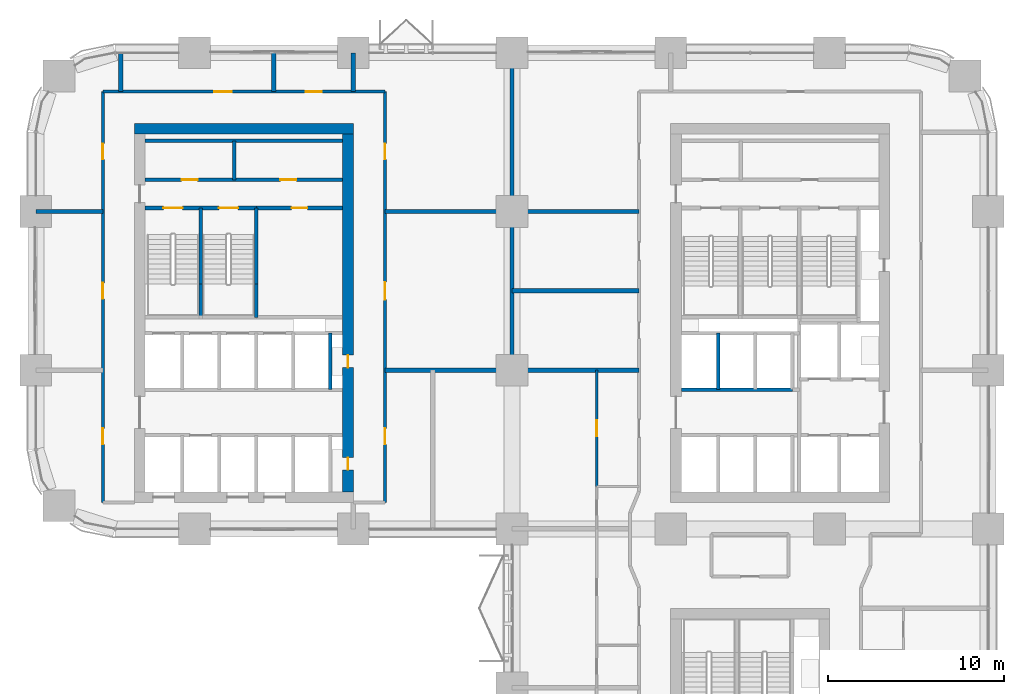
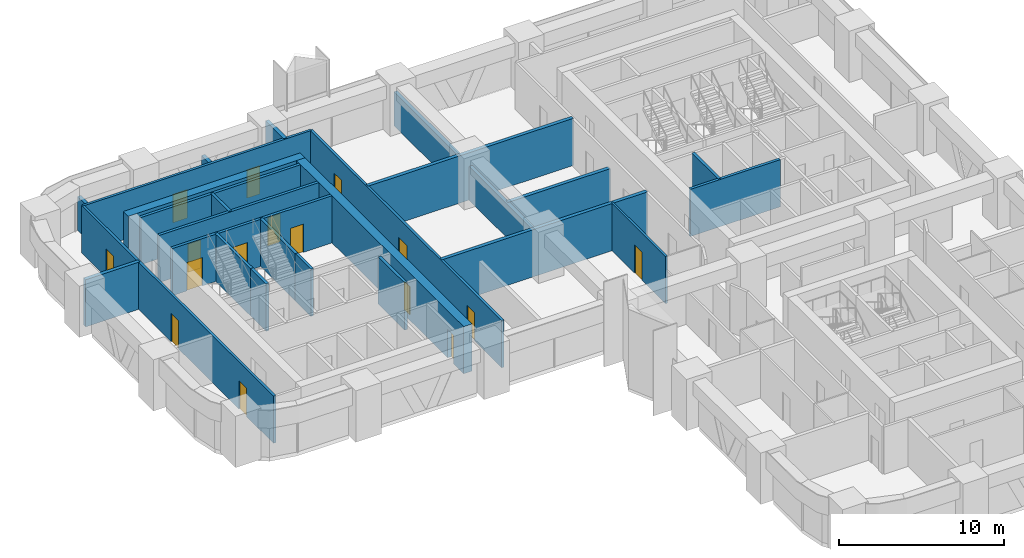
# One storey, part 14 of 18: 26 walls, 16 doors, 16 openings.
"""IFC4 building model written with IfcOpenShell, lengths in metres."""

import ifcopenshell
import ifcopenshell.guid

model = None  # the IFC model being written
_history = None  # IfcOwnerHistory: only IFC2X3 demands one
_inside = {}  # id of a spatial element -> (the spatial element, [elements in it])
_under = {}  # id of a project, library or spatial element -> (it, [spatial elements below it])
_declared = {}  # id of a project -> (the project, [libraries it declares])
_typed = {}  # id of a type object -> (the type object, [elements of that type])
_made_of = {}  # id of a material, layer set ... -> (it, [elements and type objects made of it])


def new_model(schema):
    """Start an empty IFC model of exactly this schema.

    Asked for "IFC4X3", IfcOpenShell would pick the latest addendum, in which some entities
    have other attributes; the version numbers below select the first issue.
    IFC2X3 requires an IfcOwnerHistory on every rooted entity: one is made here for all.
    """
    global model, _history
    if schema == "IFC4X3":
        model = ifcopenshell.file(schema_version=(4, 3, 0, 0))
    else:
        model = ifcopenshell.file(schema=schema)
    _inside.clear()
    _under.clear()
    _declared.clear()
    _typed.clear()
    _made_of.clear()
    _history = None
    if model.schema == "IFC2X3":
        org = make("IfcOrganization", Name="unknown")
        user = make(
            "IfcPersonAndOrganization",
            ThePerson=make("IfcPerson", FamilyName="unknown"),
            TheOrganization=org,
        )
        app = make(
            "IfcApplication",
            ApplicationDeveloper=org,
            Version="unknown",
            ApplicationFullName="unknown",
            ApplicationIdentifier="unknown",
        )
        _history = make(
            "IfcOwnerHistory",
            OwningUser=user,
            OwningApplication=app,
            ChangeAction="ADDED",
            CreationDate=0,
        )
    return model


def make(cls, **values):
    """One entity of the class cls with the attributes given. An attribute that is None is left unset."""
    return model.create_entity(
        cls, **{name: value for name, value in values.items() if value is not None}
    )


def rooted(cls, **values):
    """An entity with a GlobalId (a new one), such as an element, a storey or a relation."""
    return make(cls, GlobalId=ifcopenshell.guid.new(), OwnerHistory=_history, **values)


def si_unit(unit_type, name, prefix=None):
    """IfcSIUnit, for example si_unit("LENGTHUNIT", "METRE", prefix="MILLI")."""
    return make("IfcSIUnit", UnitType=unit_type, Prefix=prefix, Name=name)


def assignment(units):
    """IfcUnitAssignment: the units of a project."""
    return None if units is None else make("IfcUnitAssignment", Units=units)


def point(xyz):
    """IfcCartesianPoint."""
    return None if xyz is None else make("IfcCartesianPoint", Coordinates=xyz)


def direction(xyz):
    """IfcDirection."""
    return None if xyz is None else make("IfcDirection", DirectionRatios=xyz)


def frame(location, z_axis=None, x_axis=None):
    """IfcAxis2Placement3D, a coordinate frame: its origin and axes. An axis left out is left unset."""
    return make(
        "IfcAxis2Placement3D",
        Location=point(location),
        Axis=direction(z_axis),
        RefDirection=direction(x_axis),
    )


def frame_2d(location, x_axis=None):
    """IfcAxis2Placement2D, a coordinate frame in the plane: its origin and x axis."""
    return make(
        "IfcAxis2Placement2D", Location=point(location), RefDirection=direction(x_axis)
    )


def origin():
    """The frame at (0, 0, 0) with its axes left unset."""
    return frame((0.0, 0.0, 0.0))


def place(relative_to, where):
    """IfcLocalPlacement: puts the frame where relative to a parent placement (None: the world)."""
    return make(
        "IfcLocalPlacement", PlacementRelTo=relative_to, RelativePlacement=where
    )


def context(
    kind, dimensions, precision=None, world=None, true_north=None, identifier=None
):
    """IfcGeometricRepresentationContext, for example the 3D "Model" context."""
    return make(
        "IfcGeometricRepresentationContext",
        ContextIdentifier=identifier,
        ContextType=kind,
        CoordinateSpaceDimension=dimensions,
        Precision=precision,
        WorldCoordinateSystem=world,
        TrueNorth=true_north,
    )


def subcontext(parent, identifier, kind, view, scale=None):
    """IfcGeometricRepresentationSubContext, for example "Body" below "Model"."""
    return make(
        "IfcGeometricRepresentationSubContext",
        ContextIdentifier=identifier,
        ContextType=kind,
        ParentContext=parent,
        TargetScale=scale,
        TargetView=view,
    )


def project(units=None, contexts=None):
    """IfcProject with its units and contexts."""
    return rooted(
        "IfcProject",
        Name="project",
        RepresentationContexts=contexts,
        UnitsInContext=assignment(units),
    )


def spatial(cls, under=None, at=None, **own):
    """A site, building, storey or space (cls), placed at a placement, below another one or the project."""
    s = rooted(cls, ObjectPlacement=at, **own)
    if under is not None:
        _under.setdefault(under.id(), (under, []))[1].append(s)
    return s


def profile(cls, at=None, kind="AREA", **sizes):
    """A parametric profile (cls). Its sizes go by their IFC names, for example OverallWidth=200.0."""
    return make(cls, ProfileType=kind, Position=at, **sizes)


def rectangle(**sizes):
    """IfcRectangleProfileDef."""
    return profile("IfcRectangleProfileDef", **sizes)


def extrude(swept, where, along, depth):
    """IfcExtrudedAreaSolid: the profile swept, set in the frame where, extruded along a direction by depth."""
    return make(
        "IfcExtrudedAreaSolid",
        SweptArea=swept,
        Position=where,
        ExtrudedDirection=direction(along),
        Depth=depth,
    )


def shape(context_of_items, identifier, shape_type, items):
    """IfcShapeRepresentation: the items that make up one representation, for example the "Body"."""
    return make(
        "IfcShapeRepresentation",
        ContextOfItems=context_of_items,
        RepresentationIdentifier=identifier,
        RepresentationType=shape_type,
        Items=items,
    )


def material(Name=None, Category=None):
    """IfcMaterial."""
    return make("IfcMaterial", Name=Name, Category=Category)


def layer(
    of_material, thickness, ventilated=None, Name=None, Category=None, Priority=None
):
    """IfcMaterialLayer: one layer of a wall or slab, of a material (None: an air gap)."""
    return make(
        "IfcMaterialLayer",
        Material=of_material,
        LayerThickness=thickness,
        IsVentilated=ventilated,
        Name=Name,
        Category=Category,
        Priority=Priority,
    )


def layer_set(layers, Name=None):
    """IfcMaterialLayerSet."""
    return make("IfcMaterialLayerSet", MaterialLayers=layers, LayerSetName=Name)


def made_of(thing, what):
    """Note that an element or type object is made of a material, layer set ...; save() writes the relation."""
    if what is not None:
        _made_of.setdefault(what.id(), (what, []))[1].append(thing)
    return thing


def type_object(cls, material=None, **own):
    """A type object (cls), such as IfcWallType, which elements share."""
    return made_of(rooted(cls, **own), material)


def element(
    cls,
    number,
    at=None,
    inside=None,
    cuts=None,
    type_object=None,
    material=None,
    context=None,
    identifier="Body",
    shape_type=None,
    held_by="IfcProductDefinitionShape",
    body=None,
    shapes=None,
    **own,
):
    """One element of the class cls, such as IfcWall. Its Tag is "e" and its number.

    at: its placement. inside: the storey or other place that contains it. cuts: it is an
    opening in that element (IfcRelVoidsElement). A single representation is given by context,
    identifier, shape_type and body (its items); several are given by shapes. held_by: the class
    of the entity that holds the representations. save() writes the other relations.
    """
    e = rooted(cls, Tag="e%d" % number, ObjectPlacement=at, **own)
    if body is not None:
        shapes = [shape(context, identifier, shape_type, body)]
    if shapes is not None:
        e.Representation = make(held_by, Representations=shapes)
    if inside is not None:
        _inside.setdefault(inside.id(), (inside, []))[1].append(e)
    if cuts is not None:
        rooted(
            "IfcRelVoidsElement", RelatingBuildingElement=cuts, RelatedOpeningElement=e
        )
    if type_object is not None:
        _typed.setdefault(type_object.id(), (type_object, []))[1].append(e)
    return made_of(e, material)


def fill(opening, filler):
    """IfcRelFillsElement: the door or window that sits in an opening."""
    return rooted(
        "IfcRelFillsElement",
        RelatingOpeningElement=opening,
        RelatedBuildingElement=filler,
    )


def aggregate(whole, parts):
    """IfcRelAggregates: a whole, such as a stair, and the parts it consists of."""
    return rooted("IfcRelAggregates", RelatingObject=whole, RelatedObjects=parts)


def save(model, path):
    """Write the relations noted so far, then the file.

    IfcRelAggregates (storeys below a building ...), IfcRelContainedInSpatialStructure (elements
    in a storey), IfcRelDefinesByType, IfcRelAssociatesMaterial and IfcRelDeclares: one each for
    every whole, place, type object, material and project.
    """
    for whole, parts in _under.values():
        aggregate(whole, parts)
    for where, things in _inside.values():
        rooted(
            "IfcRelContainedInSpatialStructure",
            RelatedElements=things,
            RelatingStructure=where,
        )
    for kind, things in _typed.values():
        rooted("IfcRelDefinesByType", RelatedObjects=things, RelatingType=kind)
    for what, things in _made_of.values():
        rooted("IfcRelAssociatesMaterial", RelatedObjects=things, RelatingMaterial=what)
    for by, libraries in _declared.values():
        rooted("IfcRelDeclares", RelatingContext=by, RelatedDefinitions=libraries)
    model.write(path)


model = new_model("IFC4")

# Units and contexts
model_context = context("Model", 3, precision=1e-05, world=origin(), true_north=direction((0.0, 1.0)))
body_context = subcontext(model_context, "Body", "Model", "MODEL_VIEW")
ifc_project = project(units=[si_unit("LENGTHUNIT", "METRE"), si_unit("AREAUNIT", "SQUARE_METRE"), si_unit("VOLUMEUNIT", "CUBIC_METRE"), si_unit("PLANEANGLEUNIT", "RADIAN"), si_unit("MASSUNIT", "GRAM", prefix="KILO")], contexts=[model_context])

# Site, building, storey
site_placement = place(None, origin())
site = spatial("IfcSite", under=ifc_project, at=site_placement, CompositionType="ELEMENT")
building_placement = place(site_placement, origin())
building = spatial("IfcBuilding", under=site, at=building_placement, Name="Tessera Arch", CompositionType="ELEMENT")
storey_placement = place(building_placement, frame((0.0, 0.0, 100.60009765625)))
storey = spatial("IfcBuildingStorey", under=building, at=storey_placement, Name="L23", CompositionType="ELEMENT", Elevation=100.60009765625)

# Wall
ifc_material_1 = material(Name="Gypsum board on steel stud", Category="steel")
ifc_layer_1 = layer(ifc_material_1, 0.125)
ifc_layer_set_1 = layer_set([ifc_layer_1], Name="Core partition 125 EI 60")
wall_type_1 = type_object("IfcWallType", Name="Core partition 125 EI 60", PredefinedType="PARTITIONING", material=ifc_layer_set_1)
wall_1_placement = place(storey_placement, frame((11.239990234375, 46.800048828125, 0.0), z_axis=(0.0, 0.0, 1.0), x_axis=(0.0, 1.0, 0.0)))
element("IfcWall", 1, at=wall_1_placement, inside=storey, type_object=wall_type_1, Name="L23 C2 partition wall 7", PredefinedType="PARTITIONING", context=body_context, shape_type="SweptSolid", body=[
    extrude(rectangle(XDim=2.199951171875, YDim=0.199951171875, at=frame_2d((1.10009765625, 0.0))), origin(), (0.0, 0.0, 1.0), 3.5),
])

# Wall, opening, door
wall_2_placement = place(storey_placement, frame((12.5, 45.199951171875, 0.0), z_axis=(0.0, 0.0, 1.0), x_axis=(1.0, 0.0, 0.0)))
wall_2 = element("IfcWall", 2, at=wall_2_placement, inside=storey, type_object=wall_type_1, Name="L23 C2 partition wall 23", PredefinedType="PARTITIONING", context=body_context, shape_type="SweptSolid", body=[
    extrude(rectangle(XDim=4.89990234375, YDim=0.199951171875, at=frame_2d((2.449951171875, 0.0))), origin(), (0.0, 0.0, 1.0), 3.5),
])
opening_1_placement = place(wall_2_placement, frame((2.0, 0.0, 0.0)))
opening_1 = element("IfcOpeningElement", 3, at=opening_1_placement, cuts=wall_2, Name="Opening L23-C30", PredefinedType="OPENING", context=body_context, shape_type="SweptSolid", body=[
    extrude(rectangle(XDim=0.89990234375, YDim=2.10009765625, at=frame_2d((0.449951171875, 1.050048828125))), frame((0.0, 0.10986328125, 0.0), z_axis=(0.0, -1.0, 0.0), x_axis=(1.0, 0.0, 0.0)), (0.0, 0.0, 1.0), 0.219970703125),
])
ifc_material_2 = material(Name="Steel door leaf", Category="steel")
door_type_1 = type_object("IfcDoorType", Name="Store door FD30S 900 x 2100", OperationType="SINGLE_SWING_LEFT", PredefinedType="DOOR", material=ifc_material_2)
door_1_placement = place(opening_1_placement, origin())
door_1 = element("IfcDoor", 4, at=door_1_placement, inside=storey, type_object=door_type_1, Name="L23 C2 door 17 C30 type D09", OperationType="SINGLE_SWING_RIGHT", OverallHeight=2.10009765625, OverallWidth=0.89990234375, PredefinedType="DOOR", context=body_context, shape_type="SweptSolid", body=[
    extrude(rectangle(XDim=0.89990234375, YDim=2.10009765625, at=frame_2d((0.449951171875, 1.050048828125))), frame((0.0, 0.02490234375, 0.0), z_axis=(0.0, -1.0, 0.0), x_axis=(1.0, 0.0, 0.0)), (0.0, 0.0, 1.0), 0.050048828125),
])
fill(opening_1, door_1)

# Wall, openings, doors
wall_3_placement = place(storey_placement, frame((6.199951171875, 46.800048828125, 0.0), z_axis=(0.0, 0.0, 1.0), x_axis=(1.0, 0.0, 0.0)))
wall_3 = element("IfcWall", 5, at=wall_3_placement, inside=storey, type_object=wall_type_1, Name="L23 C2 partition wall 25", PredefinedType="PARTITIONING", context=body_context, shape_type="SweptSolid", body=[
    extrude(rectangle(XDim=11.199951171875, YDim=0.199951171875, at=frame_2d((5.60009765625, 0.0))), origin(), (0.0, 0.0, 1.0), 3.5),
])
opening_2_placement = place(wall_3_placement, frame((2.070068359375, 0.0, 0.0)))
opening_2 = element("IfcOpeningElement", 6, at=opening_2_placement, cuts=wall_3, Name="Opening L23-C28", PredefinedType="OPENING", context=body_context, shape_type="SweptSolid", body=[
    extrude(rectangle(XDim=0.89990234375, YDim=2.10009765625, at=frame_2d((0.449951171875, 1.050048828125))), frame((0.0, 0.10986328125, 0.0), z_axis=(0.0, -1.0, 0.0), x_axis=(1.0, 0.0, 0.0)), (0.0, 0.0, 1.0), 0.219970703125),
])
opening_3_placement = place(wall_3_placement, frame((7.669921875, 0.0, 0.0)))
opening_3 = element("IfcOpeningElement", 7, at=opening_3_placement, cuts=wall_3, Name="Opening L23-C29", PredefinedType="OPENING", context=body_context, shape_type="SweptSolid", body=[
    extrude(rectangle(XDim=0.89990234375, YDim=2.10009765625, at=frame_2d((0.449951171875, 1.050048828125))), frame((0.0, 0.10986328125, 0.0), z_axis=(0.0, -1.0, 0.0), x_axis=(1.0, 0.0, 0.0)), (0.0, 0.0, 1.0), 0.219970703125),
])
door_2_placement = place(opening_2_placement, origin())
door_2 = element("IfcDoor", 8, at=door_2_placement, inside=storey, type_object=door_type_1, Name="L23 C2 door 15 C28 type D09", OperationType="SINGLE_SWING_LEFT", OverallHeight=2.10009765625, OverallWidth=0.89990234375, PredefinedType="DOOR", context=body_context, shape_type="SweptSolid", body=[
    extrude(rectangle(XDim=0.89990234375, YDim=2.10009765625, at=frame_2d((0.449951171875, 1.050048828125))), frame((0.0, 0.02490234375, 0.0), z_axis=(0.0, -1.0, 0.0), x_axis=(1.0, 0.0, 0.0)), (0.0, 0.0, 1.0), 0.050048828125),
])
fill(opening_2, door_2)
door_3_placement = place(opening_3_placement, origin())
door_3 = element("IfcDoor", 9, at=door_3_placement, inside=storey, type_object=door_type_1, Name="L23 C2 door 16 C29 type D09", OperationType="SINGLE_SWING_RIGHT", OverallHeight=2.10009765625, OverallWidth=0.89990234375, PredefinedType="DOOR", context=body_context, shape_type="SweptSolid", body=[
    extrude(rectangle(XDim=0.89990234375, YDim=2.10009765625, at=frame_2d((0.449951171875, 1.050048828125))), frame((0.0, 0.02490234375, 0.0), z_axis=(0.0, -1.0, 0.0), x_axis=(1.0, 0.0, 0.0)), (0.0, 0.0, 1.0), 0.050048828125),
])
fill(opening_3, door_3)

# Walls
wall_4_placement = place(storey_placement, frame((6.199951171875, 49.0, 0.0), z_axis=(0.0, 0.0, 1.0), x_axis=(1.0, 0.0, 0.0)))
element("IfcWall", 10, at=wall_4_placement, inside=storey, type_object=wall_type_1, Name="L23 C2 partition wall 26", PredefinedType="PARTITIONING", context=body_context, shape_type="SweptSolid", body=[
    extrude(rectangle(XDim=11.199951171875, YDim=0.199951171875, at=frame_2d((5.60009765625, 0.0))), origin(), (0.0, 0.0, 1.0), 3.5),
])
ifc_material_3 = material(Name="Concrete C70/85", Category="concrete")
ifc_layer_2 = layer(ifc_material_3, 0.60009765625)
ifc_layer_set_2 = layer_set([ifc_layer_2], Name="Core shell wall 600 C70-85")
wall_type_2 = type_object("IfcWallType", Name="Core shell wall 600 C70-85", PredefinedType="SHEAR", material=ifc_layer_set_2)
wall_5_placement = place(storey_placement, frame((5.60009765625, 49.699951171875, 0.0), z_axis=(0.0, 0.0, 1.0), x_axis=(1.0, 0.0, 0.0)))
element("IfcWall", 11, at=wall_5_placement, inside=storey, type_object=wall_type_2, Name="L23 C2 core wall N", PredefinedType="SHEAR", context=body_context, shape_type="SweptSolid", body=[
    extrude(rectangle(XDim=12.39990234375, YDim=0.60009765625, at=frame_2d((6.199951171875, 0.0))), origin(), (0.0, 0.0, 1.0), 3.5),
])

# Wall, openings, doors
wall_6_placement = place(storey_placement, frame((17.699951171875, 29.10009765625, 0.0), z_axis=(0.0, 0.0, 1.0), x_axis=(0.0, 1.0, 0.0)))
wall_6 = element("IfcWall", 12, at=wall_6_placement, inside=storey, type_object=wall_type_2, Name="L23 C2 core wall E", PredefinedType="SHEAR", context=body_context, shape_type="SweptSolid", body=[
    extrude(rectangle(XDim=20.2998046875, YDim=0.60009765625, at=frame_2d((10.14990234375, 0.0))), origin(), (0.0, 0.0, 1.0), 3.5),
])
opening_4_placement = place(wall_6_placement, frame((1.25, 0.0, 0.0)))
opening_4 = element("IfcOpeningElement", 13, at=opening_4_placement, cuts=wall_6, Name="Opening L23-C22", PredefinedType="OPENING", context=body_context, shape_type="SweptSolid", body=[
    extrude(rectangle(XDim=0.699951171875, YDim=2.10009765625, at=frame_2d((0.35009765625, 1.050048828125))), frame((0.0, 0.31005859375, 0.0), z_axis=(0.0, -1.0, 0.0), x_axis=(1.0, 0.0, 0.0)), (0.0, 0.0, 1.0), 0.6201171875),
])
opening_5_placement = place(wall_6_placement, frame((7.050048828125, 0.0, 0.0)))
opening_5 = element("IfcOpeningElement", 14, at=opening_5_placement, cuts=wall_6, Name="Opening L23-C23", PredefinedType="OPENING", context=body_context, shape_type="SweptSolid", body=[
    extrude(rectangle(XDim=0.699951171875, YDim=2.10009765625, at=frame_2d((0.35009765625, 1.050048828125))), frame((0.0, 0.31005859375, 0.0), z_axis=(0.0, -1.0, 0.0), x_axis=(1.0, 0.0, 0.0)), (0.0, 0.0, 1.0), 0.6201171875),
])
ifc_material_4 = material(Name="Steel door leaf", Category="steel")
door_type_2 = type_object("IfcDoorType", Name="Service shaft door FD60 700 x 2100", OperationType="SINGLE_SWING_LEFT", PredefinedType="DOOR", material=ifc_material_4)
door_4_placement = place(opening_4_placement, origin())
door_4 = element("IfcDoor", 15, at=door_4_placement, inside=storey, type_object=door_type_2, Name="L23 C2 door 9 C22 type D07", OperationType="SINGLE_SWING_LEFT", OverallHeight=2.10009765625, OverallWidth=0.699951171875, PredefinedType="DOOR", context=body_context, shape_type="SweptSolid", body=[
    extrude(rectangle(XDim=0.699951171875, YDim=2.10009765625, at=frame_2d((0.35009765625, 1.050048828125))), frame((0.0, 0.02490234375, 0.0), z_axis=(0.0, -1.0, 0.0), x_axis=(1.0, 0.0, 0.0)), (0.0, 0.0, 1.0), 0.050048828125),
])
fill(opening_4, door_4)
door_5_placement = place(opening_5_placement, origin())
door_5 = element("IfcDoor", 16, at=door_5_placement, inside=storey, type_object=door_type_2, Name="L23 C2 door 10 C23 type D07", OperationType="SINGLE_SWING_LEFT", OverallHeight=2.10009765625, OverallWidth=0.699951171875, PredefinedType="DOOR", context=body_context, shape_type="SweptSolid", body=[
    extrude(rectangle(XDim=0.699951171875, YDim=2.10009765625, at=frame_2d((0.35009765625, 1.050048828125))), frame((0.0, 0.02490234375, 0.0), z_axis=(0.0, -1.0, 0.0), x_axis=(1.0, 0.0, 0.0)), (0.0, 0.0, 1.0), 0.050048828125),
])
fill(opening_5, door_5)

ifc_material_5 = material(Name="Gypsum board on deep steel stud with mineral wool", Category="steel")
ifc_layer_3 = layer(ifc_material_5, 0.175048828125)
ifc_layer_set_3 = layer_set([ifc_layer_3], Name="Corridor wall 175 EI 60")
wall_type_3 = type_object("IfcWallType", Name="Corridor wall 175 EI 60", PredefinedType="PARTITIONING", material=ifc_layer_set_3)
wall_7_placement = place(storey_placement, frame((3.800048828125, 51.800048828125, 0.0), z_axis=(0.0, 0.0, 1.0), x_axis=(1.0, 0.0, 0.0)))
wall_7 = element("IfcWall", 17, at=wall_7_placement, inside=storey, type_object=wall_type_3, Name="L23 partition 7", PredefinedType="PARTITIONING", context=body_context, shape_type="SweptSolid", body=[
    extrude(rectangle(XDim=16.0, YDim=0.175048828125, at=frame_2d((8.0, 0.0))), origin(), (0.0, 0.0, 1.0), 3.5),
])
opening_6_placement = place(wall_7_placement, frame((6.314453125, 0.0, 0.0)))
opening_6 = element("IfcOpeningElement", 18, at=opening_6_placement, cuts=wall_7, Name="Opening L23-D034", PredefinedType="OPENING", context=body_context, shape_type="SweptSolid", body=[
    extrude(rectangle(XDim=1.0, YDim=2.10009765625, at=frame_2d((0.5, 1.050048828125))), frame((0.0, 0.097412109375, 0.0), z_axis=(0.0, -1.0, 0.0), x_axis=(1.0, 0.0, 0.0)), (0.0, 0.0, 1.0), 0.195068359375),
])
opening_7_placement = place(wall_7_placement, frame((11.5, 0.0, 0.0)))
opening_7 = element("IfcOpeningElement", 19, at=opening_7_placement, cuts=wall_7, Name="Opening L23-D035", PredefinedType="OPENING", context=body_context, shape_type="SweptSolid", body=[
    extrude(rectangle(XDim=0.89990234375, YDim=2.10009765625, at=frame_2d((0.449951171875, 1.050048828125))), frame((0.0, 0.097412109375, 0.0), z_axis=(0.0, -1.0, 0.0), x_axis=(1.0, 0.0, 0.0)), (0.0, 0.0, 1.0), 0.195068359375),
])
ifc_material_6 = material(Name="Fire-rated door leaf")
door_type_3 = type_object("IfcDoorType", Name="Entrance door FD30S 1000 x 2100", OperationType="SINGLE_SWING_LEFT", PredefinedType="DOOR", material=ifc_material_6)
door_6_placement = place(opening_6_placement, origin())
door_6 = element("IfcDoor", 20, at=door_6_placement, inside=storey, type_object=door_type_3, Name="L23 door D034 type D03", OperationType="SINGLE_SWING_RIGHT", OverallHeight=2.10009765625, OverallWidth=1.0, PredefinedType="DOOR", context=body_context, shape_type="SweptSolid", body=[
    extrude(rectangle(XDim=1.0, YDim=2.10009765625, at=frame_2d((0.5, 1.050048828125))), frame((0.0, 0.02490234375, 0.0), z_axis=(0.0, -1.0, 0.0), x_axis=(1.0, 0.0, 0.0)), (0.0, 0.0, 1.0), 0.050048828125),
])
fill(opening_6, door_6)
ifc_material_7 = material(Name="Timber door leaf", Category="wood")
door_type_4 = type_object("IfcDoorType", Name="Room door 900 x 2100", OperationType="SINGLE_SWING_LEFT", PredefinedType="DOOR", material=ifc_material_7)
door_7_placement = place(opening_7_placement, origin())
door_7 = element("IfcDoor", 21, at=door_7_placement, inside=storey, type_object=door_type_4, Name="L23 door D035 type D01", OperationType="SINGLE_SWING_LEFT", OverallHeight=2.10009765625, OverallWidth=0.89990234375, PredefinedType="DOOR", context=body_context, shape_type="SweptSolid", body=[
    extrude(rectangle(XDim=0.89990234375, YDim=2.10009765625, at=frame_2d((0.449951171875, 1.050048828125))), frame((0.0, 0.02490234375, 0.0), z_axis=(0.0, -1.0, 0.0), x_axis=(1.0, 0.0, 0.0)), (0.0, 0.0, 1.0), 0.050048828125),
])
fill(opening_7, door_7)

wall_8_placement = place(storey_placement, frame((3.800048828125, 28.5, 0.0), z_axis=(0.0, 0.0, 1.0), x_axis=(0.0, 1.0, 0.0)))
wall_8 = element("IfcWall", 22, at=wall_8_placement, inside=storey, type_object=wall_type_3, Name="L23 partition 9", PredefinedType="PARTITIONING", context=body_context, shape_type="SweptSolid", body=[
    extrude(rectangle(XDim=23.300048828125, YDim=0.175048828125, at=frame_2d((11.64990234375, 0.0))), origin(), (0.0, 0.0, 1.0), 3.5),
])
opening_8_placement = place(wall_8_placement, frame((3.300048828125, 0.0, 0.0)))
opening_8 = element("IfcOpeningElement", 23, at=opening_8_placement, cuts=wall_8, Name="Opening L23-D020", PredefinedType="OPENING", context=body_context, shape_type="SweptSolid", body=[
    extrude(rectangle(XDim=0.89990234375, YDim=2.10009765625, at=frame_2d((0.449951171875, 1.050048828125))), frame((0.0, 0.097412109375, 0.0), z_axis=(0.0, -1.0, 0.0), x_axis=(1.0, 0.0, 0.0)), (0.0, 0.0, 1.0), 0.195068359375),
])
opening_9_placement = place(wall_8_placement, frame((11.550048828125, 0.0, 0.0)))
opening_9 = element("IfcOpeningElement", 24, at=opening_9_placement, cuts=wall_8, Name="Opening L23-D026", PredefinedType="OPENING", context=body_context, shape_type="SweptSolid", body=[
    extrude(rectangle(XDim=0.89990234375, YDim=2.10009765625, at=frame_2d((0.449951171875, 1.050048828125))), frame((0.0, 0.097412109375, 0.0), z_axis=(0.0, -1.0, 0.0), x_axis=(1.0, 0.0, 0.0)), (0.0, 0.0, 1.0), 0.195068359375),
])
opening_10_placement = place(wall_8_placement, frame((19.449951171875, 0.0, 0.0)))
opening_10 = element("IfcOpeningElement", 25, at=opening_10_placement, cuts=wall_8, Name="Opening L23-D030", PredefinedType="OPENING", context=body_context, shape_type="SweptSolid", body=[
    extrude(rectangle(XDim=0.89990234375, YDim=2.10009765625, at=frame_2d((0.449951171875, 1.050048828125))), frame((0.0, 0.097412109375, 0.0), z_axis=(0.0, -1.0, 0.0), x_axis=(1.0, 0.0, 0.0)), (0.0, 0.0, 1.0), 0.195068359375),
])
door_8_placement = place(opening_8_placement, origin())
door_8 = element("IfcDoor", 26, at=door_8_placement, inside=storey, type_object=door_type_4, Name="L23 door D020 type D01", OperationType="SINGLE_SWING_RIGHT", OverallHeight=2.10009765625, OverallWidth=0.89990234375, PredefinedType="DOOR", context=body_context, shape_type="SweptSolid", body=[
    extrude(rectangle(XDim=0.89990234375, YDim=2.10009765625, at=frame_2d((0.449951171875, 1.050048828125))), frame((0.0, 0.02490234375, 0.0), z_axis=(0.0, -1.0, 0.0), x_axis=(1.0, 0.0, 0.0)), (0.0, 0.0, 1.0), 0.050048828125),
])
fill(opening_8, door_8)
door_9_placement = place(opening_9_placement, origin())
door_9 = element("IfcDoor", 27, at=door_9_placement, inside=storey, type_object=door_type_4, Name="L23 door D026 type D01", OperationType="SINGLE_SWING_RIGHT", OverallHeight=2.10009765625, OverallWidth=0.89990234375, PredefinedType="DOOR", context=body_context, shape_type="SweptSolid", body=[
    extrude(rectangle(XDim=0.89990234375, YDim=2.10009765625, at=frame_2d((0.449951171875, 1.050048828125))), frame((0.0, 0.02490234375, 0.0), z_axis=(0.0, -1.0, 0.0), x_axis=(1.0, 0.0, 0.0)), (0.0, 0.0, 1.0), 0.050048828125),
])
fill(opening_9, door_9)
door_10_placement = place(opening_10_placement, origin())
door_10 = element("IfcDoor", 28, at=door_10_placement, inside=storey, type_object=door_type_4, Name="L23 door D030 type D01", OperationType="SINGLE_SWING_RIGHT", OverallHeight=2.10009765625, OverallWidth=0.89990234375, PredefinedType="DOOR", context=body_context, shape_type="SweptSolid", body=[
    extrude(rectangle(XDim=0.89990234375, YDim=2.10009765625, at=frame_2d((0.449951171875, 1.050048828125))), frame((0.0, 0.02490234375, 0.0), z_axis=(0.0, -1.0, 0.0), x_axis=(1.0, 0.0, 0.0)), (0.0, 0.0, 1.0), 0.050048828125),
])
fill(opening_10, door_10)

wall_9_placement = place(storey_placement, frame((19.800048828125, 28.5, 0.0), z_axis=(0.0, 0.0, 1.0), x_axis=(0.0, 1.0, 0.0)))
wall_9 = element("IfcWall", 29, at=wall_9_placement, inside=storey, type_object=wall_type_3, Name="L23 partition 10", PredefinedType="PARTITIONING", context=body_context, shape_type="SweptSolid", body=[
    extrude(rectangle(XDim=23.300048828125, YDim=0.175048828125, at=frame_2d((11.64990234375, 0.0))), origin(), (0.0, 0.0, 1.0), 3.5),
])
opening_11_placement = place(wall_9_placement, frame((3.300048828125, 0.0, 0.0)))
opening_11 = element("IfcOpeningElement", 30, at=opening_11_placement, cuts=wall_9, Name="Opening L23-D021", PredefinedType="OPENING", context=body_context, shape_type="SweptSolid", body=[
    extrude(rectangle(XDim=0.89990234375, YDim=2.10009765625, at=frame_2d((0.449951171875, 1.050048828125))), frame((0.0, 0.097412109375, 0.0), z_axis=(0.0, -1.0, 0.0), x_axis=(1.0, 0.0, 0.0)), (0.0, 0.0, 1.0), 0.195068359375),
])
opening_12_placement = place(wall_9_placement, frame((11.5, 0.0, 0.0)))
opening_12 = element("IfcOpeningElement", 31, at=opening_12_placement, cuts=wall_9, Name="Opening L23-D027", PredefinedType="OPENING", context=body_context, shape_type="SweptSolid", body=[
    extrude(rectangle(XDim=1.0, YDim=2.10009765625, at=frame_2d((0.5, 1.050048828125))), frame((0.0, 0.097412109375, 0.0), z_axis=(0.0, -1.0, 0.0), x_axis=(1.0, 0.0, 0.0)), (0.0, 0.0, 1.0), 0.195068359375),
])
opening_13_placement = place(wall_9_placement, frame((19.449951171875, 0.0, 0.0)))
opening_13 = element("IfcOpeningElement", 32, at=opening_13_placement, cuts=wall_9, Name="Opening L23-D031", PredefinedType="OPENING", context=body_context, shape_type="SweptSolid", body=[
    extrude(rectangle(XDim=0.89990234375, YDim=2.10009765625, at=frame_2d((0.449951171875, 1.050048828125))), frame((0.0, 0.097412109375, 0.0), z_axis=(0.0, -1.0, 0.0), x_axis=(1.0, 0.0, 0.0)), (0.0, 0.0, 1.0), 0.195068359375),
])
door_11_placement = place(opening_12_placement, origin())
door_11 = element("IfcDoor", 33, at=door_11_placement, inside=storey, type_object=door_type_3, Name="L23 door D027 type D03", OperationType="SINGLE_SWING_RIGHT", OverallHeight=2.10009765625, OverallWidth=1.0, PredefinedType="DOOR", context=body_context, shape_type="SweptSolid", body=[
    extrude(rectangle(XDim=1.0, YDim=2.10009765625, at=frame_2d((0.5, 1.050048828125))), frame((0.0, 0.02490234375, 0.0), z_axis=(0.0, -1.0, 0.0), x_axis=(1.0, 0.0, 0.0)), (0.0, 0.0, 1.0), 0.050048828125),
])
fill(opening_12, door_11)
door_12_placement = place(opening_11_placement, origin())
door_12 = element("IfcDoor", 34, at=door_12_placement, inside=storey, type_object=door_type_4, Name="L23 door D021 type D01", OperationType="SINGLE_SWING_RIGHT", OverallHeight=2.10009765625, OverallWidth=0.89990234375, PredefinedType="DOOR", context=body_context, shape_type="SweptSolid", body=[
    extrude(rectangle(XDim=0.89990234375, YDim=2.10009765625, at=frame_2d((0.449951171875, 1.050048828125))), frame((0.0, 0.02490234375, 0.0), z_axis=(0.0, -1.0, 0.0), x_axis=(1.0, 0.0, 0.0)), (0.0, 0.0, 1.0), 0.050048828125),
])
fill(opening_11, door_12)
door_13_placement = place(opening_13_placement, origin())
door_13 = element("IfcDoor", 35, at=door_13_placement, inside=storey, type_object=door_type_4, Name="L23 door D031 type D01", OperationType="SINGLE_SWING_RIGHT", OverallHeight=2.10009765625, OverallWidth=0.89990234375, PredefinedType="DOOR", context=body_context, shape_type="SweptSolid", body=[
    extrude(rectangle(XDim=0.89990234375, YDim=2.10009765625, at=frame_2d((0.449951171875, 1.050048828125))), frame((0.0, 0.02490234375, 0.0), z_axis=(0.0, -1.0, 0.0), x_axis=(1.0, 0.0, 0.0)), (0.0, 0.0, 1.0), 0.050048828125),
])
fill(opening_13, door_13)

# Wall, opening, door
ifc_material_8 = material(Name="Gypsum board on steel stud", Category="steel")
ifc_layer_4 = layer(ifc_material_8, 0.14990234375)
ifc_layer_set_4 = layer_set([ifc_layer_4], Name="Partition 150")
wall_type_4 = type_object("IfcWallType", Name="Partition 150", PredefinedType="PARTITIONING", material=ifc_layer_set_4)
wall_10_placement = place(storey_placement, frame((31.800048828125, 29.39990234375, 0.0), z_axis=(0.0, 0.0, 1.0), x_axis=(0.0, 1.0, 0.0)))
wall_10 = element("IfcWall", 36, at=wall_10_placement, inside=storey, type_object=wall_type_4, Name="L23 partition 22", PredefinedType="PARTITIONING", context=body_context, shape_type="SweptSolid", body=[
    extrude(rectangle(XDim=6.60009765625, YDim=0.14990234375, at=frame_2d((3.300048828125, 0.0))), origin(), (0.0, 0.0, 1.0), 3.5),
])
opening_14_placement = place(wall_10_placement, frame((2.85009765625, 0.0, 0.0)))
opening_14 = element("IfcOpeningElement", 37, at=opening_14_placement, cuts=wall_10, Name="Opening L23-D023", PredefinedType="OPENING", context=body_context, shape_type="SweptSolid", body=[
    extrude(rectangle(XDim=0.89990234375, YDim=2.10009765625, at=frame_2d((0.449951171875, 1.050048828125))), frame((0.0, 0.0849609375, 0.0), z_axis=(0.0, -1.0, 0.0), x_axis=(1.0, 0.0, 0.0)), (0.0, 0.0, 1.0), 0.169921875),
])
door_14_placement = place(opening_14_placement, origin())
door_14 = element("IfcDoor", 38, at=door_14_placement, inside=storey, type_object=door_type_4, Name="L23 door D023 type D01", OperationType="SINGLE_SWING_LEFT", OverallHeight=2.10009765625, OverallWidth=0.89990234375, PredefinedType="DOOR", context=body_context, shape_type="SweptSolid", body=[
    extrude(rectangle(XDim=0.89990234375, YDim=2.10009765625, at=frame_2d((0.449951171875, 1.050048828125))), frame((0.0, 0.02490234375, 0.0), z_axis=(0.0, -1.0, 0.0), x_axis=(1.0, 0.0, 0.0)), (0.0, 0.0, 1.0), 0.050048828125),
])
fill(opening_14, door_14)

# Walls
ifc_material_9 = material(Name="Double gypsum board on twin steel stud with acoustic mineral wool", Category="steel")
ifc_layer_5 = layer(ifc_material_9, 0.25)
ifc_layer_set_5 = layer_set([ifc_layer_5], Name="Party wall 250 EI 60")
wall_type_5 = type_object("IfcWallType", Name="Party wall 250 EI 60", PredefinedType="PARTITIONING", material=ifc_layer_set_5)
wall_11_placement = place(storey_placement, frame((19.800048828125, 36.0, 0.0), z_axis=(0.0, 0.0, 1.0), x_axis=(1.0, 0.0, 0.0)))
element("IfcWall", 39, at=wall_11_placement, inside=storey, type_object=wall_type_5, Name="L23 partition 32", PredefinedType="PARTITIONING", context=body_context, shape_type="SweptSolid", body=[
    extrude(rectangle(XDim=14.39990234375, YDim=0.25, at=frame_2d((7.199951171875, 0.0))), origin(), (0.0, 0.0, 1.0), 3.5),
])
wall_12_placement = place(storey_placement, frame((27.0, 40.5, 0.0), z_axis=(0.0, 0.0, 1.0), x_axis=(1.0, 0.0, 0.0)))
element("IfcWall", 40, at=wall_12_placement, inside=storey, type_object=wall_type_5, Name="L23 partition 34", PredefinedType="PARTITIONING", context=body_context, shape_type="SweptSolid", body=[
    extrude(rectangle(XDim=7.199951171875, YDim=0.25, at=frame_2d((3.60009765625, 0.0))), origin(), (0.0, 0.0, 1.0), 2.5),
])
wall_13_placement = place(storey_placement, frame((0.0, 45.0, 0.0), z_axis=(0.0, 0.0, 1.0), x_axis=(1.0, 0.0, 0.0)))
element("IfcWall", 41, at=wall_13_placement, inside=storey, type_object=wall_type_5, Name="L23 partition 35", PredefinedType="PARTITIONING", context=body_context, shape_type="SweptSolid", body=[
    extrude(rectangle(XDim=3.800048828125, YDim=0.25, at=frame_2d((1.89990234375, 0.0))), origin(), (0.0, 0.0, 1.0), 3.5),
])
wall_14_placement = place(storey_placement, frame((19.800048828125, 45.0, 0.0), z_axis=(0.0, 0.0, 1.0), x_axis=(1.0, 0.0, 0.0)))
element("IfcWall", 42, at=wall_14_placement, inside=storey, type_object=wall_type_5, Name="L23 partition 36", PredefinedType="PARTITIONING", context=body_context, shape_type="SweptSolid", body=[
    extrude(rectangle(XDim=14.39990234375, YDim=0.25, at=frame_2d((7.199951171875, 0.0))), origin(), (0.0, 0.0, 1.0), 3.5),
])
for number, where, z_axis, x_axis, name in (
    (43, (4.81494140625, 51.800048828125, 0.0), (0.0, 0.0, 1.0), (0.0, 1.0, 0.0), "L23 partition 38"),
    (44, (13.5, 51.800048828125, 0.0), (0.0, 0.0, 1.0), (0.0, 1.0, 0.0), "L23 partition 39"),
):
    element("IfcWall", number, at=place(storey_placement, frame(where, z_axis=z_axis, x_axis=x_axis)), inside=storey, type_object=wall_type_5, Name=name, PredefinedType="PARTITIONING", context=body_context, shape_type="SweptSolid", body=[
        extrude(rectangle(XDim=2.199951171875, YDim=0.25, at=frame_2d((1.10009765625, 0.0))), origin(), (0.0, 0.0, 1.0), 2.5),
    ])
wall_15_placement = place(storey_placement, frame((18.0, 51.800048828125, 0.0), z_axis=(0.0, 0.0, 1.0), x_axis=(0.0, 1.0, 0.0)))
element("IfcWall", 45, at=wall_15_placement, inside=storey, type_object=wall_type_5, Name="L23 partition 41", PredefinedType="PARTITIONING", context=body_context, shape_type="SweptSolid", body=[
    extrude(rectangle(XDim=2.199951171875, YDim=0.25, at=frame_2d((1.10009765625, 0.0))), origin(), (0.0, 0.0, 1.0), 3.5),
])
wall_16_placement = place(storey_placement, frame((27.0, 36.0, 0.0), z_axis=(0.0, 0.0, 1.0), x_axis=(0.0, 1.0, 0.0)))
element("IfcWall", 46, at=wall_16_placement, inside=storey, type_object=wall_type_5, Name="L23 partition 43", PredefinedType="PARTITIONING", context=body_context, shape_type="SweptSolid", body=[
    extrude(rectangle(XDim=18.0, YDim=0.25, at=frame_2d((9.0, 0.0))), origin(), (0.0, 0.0, 1.0), 2.5),
])
ifc_material_10 = material(Name="Concrete C40/50", Category="concrete")
ifc_layer_6 = layer(ifc_material_10, 0.199951171875)
ifc_layer_set_6 = layer_set([ifc_layer_6], Name="Shaft wall 200 EI 120")
wall_type_6 = type_object("IfcWallType", Name="Shaft wall 200 EI 120", PredefinedType="SOLIDWALL", material=ifc_layer_set_6)
wall_17_placement = place(storey_placement, frame((38.699951171875, 34.89990234375, 0.0), z_axis=(0.0, 0.0, 1.0), x_axis=(0.0, 1.0, 0.0)))
element("IfcWall", 47, at=wall_17_placement, inside=storey, type_object=wall_type_6, Name="L23 C1 shaft wall 2", PredefinedType="SOLIDWALL", context=body_context, shape_type="SweptSolid", body=[
    extrude(rectangle(XDim=3.2001953125, YDim=0.199951171875, at=frame_2d((1.60009765625, 0.0))), origin(), (0.0, 0.0, 1.0), 3.5),
])
wall_18_placement = place(storey_placement, frame((36.60009765625, 34.89990234375, 0.0), z_axis=(0.0, 0.0, 1.0), x_axis=(1.0, 0.0, 0.0)))
element("IfcWall", 48, at=wall_18_placement, inside=storey, type_object=wall_type_6, Name="L23 C1 shaft wall 20", PredefinedType="SOLIDWALL", context=body_context, shape_type="SweptSolid", body=[
    extrude(rectangle(XDim=6.2998046875, YDim=0.199951171875, at=frame_2d((3.14990234375, 0.0))), origin(), (0.0, 0.0, 1.0), 3.5),
])
wall_19_placement = place(storey_placement, frame((16.699951171875, 34.89990234375, 0.0), z_axis=(0.0, 0.0, 1.0), x_axis=(0.0, 1.0, 0.0)))
element("IfcWall", 49, at=wall_19_placement, inside=storey, type_object=wall_type_6, Name="L23 C2 shaft wall 15", PredefinedType="SOLIDWALL", context=body_context, shape_type="SweptSolid", body=[
    extrude(rectangle(XDim=3.2001953125, YDim=0.199951171875, at=frame_2d((1.60009765625, 0.0))), origin(), (0.0, 0.0, 1.0), 3.5),
])
ifc_material_11 = material(Name="Concrete C40/50", Category="concrete")
ifc_layer_7 = layer(ifc_material_11, 0.199951171875)
ifc_layer_set_7 = layer_set([ifc_layer_7], Name="Stair well wall 200 REI 180")
wall_type_7 = type_object("IfcWallType", Name="Stair well wall 200 REI 180", PredefinedType="SOLIDWALL", material=ifc_layer_set_7)
wall_20_placement = place(storey_placement, frame((9.35009765625, 39.0, 0.0), z_axis=(0.0, 0.0, 1.0), x_axis=(0.0, 1.0, 0.0)))
element("IfcWall", 50, at=wall_20_placement, inside=storey, type_object=wall_type_7, Name="L23 C2 shaft wall 3", PredefinedType="SOLIDWALL", context=body_context, shape_type="SweptSolid", body=[
    extrude(rectangle(XDim=1.89990234375, YDim=0.199951171875, at=frame_2d((0.949951171875, 0.0))), origin(), (0.0, 0.0, 1.0), 3.5),
])
wall_21_placement = place(storey_placement, frame((9.35009765625, 40.89990234375, 0.0), z_axis=(0.0, 0.0, 1.0), x_axis=(0.0, 1.0, 0.0)))
element("IfcWall", 51, at=wall_21_placement, inside=storey, type_object=wall_type_7, Name="L23 C2 shaft wall 4", PredefinedType="SOLIDWALL", context=body_context, shape_type="SweptSolid", body=[
    extrude(rectangle(XDim=4.300048828125, YDim=0.199951171875, at=frame_2d((2.14990234375, 0.0))), origin(), (0.0, 0.0, 1.0), 3.5),
])
wall_22_placement = place(storey_placement, frame((12.5, 39.0, 0.0), z_axis=(0.0, 0.0, 1.0), x_axis=(0.0, 1.0, 0.0)))
element("IfcWall", 52, at=wall_22_placement, inside=storey, type_object=wall_type_7, Name="L23 C2 shaft wall 10", PredefinedType="SOLIDWALL", context=body_context, shape_type="SweptSolid", body=[
    extrude(rectangle(XDim=1.89990234375, YDim=0.199951171875, at=frame_2d((0.949951171875, 0.0))), origin(), (0.0, 0.0, 1.0), 3.5),
])
wall_23_placement = place(storey_placement, frame((12.5, 40.89990234375, 0.0), z_axis=(0.0, 0.0, 1.0), x_axis=(0.0, 1.0, 0.0)))
element("IfcWall", 53, at=wall_23_placement, inside=storey, type_object=wall_type_7, Name="L23 C2 shaft wall 11", PredefinedType="SOLIDWALL", context=body_context, shape_type="SweptSolid", body=[
    extrude(rectangle(XDim=4.300048828125, YDim=0.199951171875, at=frame_2d((2.14990234375, 0.0))), origin(), (0.0, 0.0, 1.0), 3.5),
])

# Wall, openings, doors
wall_24_placement = place(storey_placement, frame((6.199951171875, 45.199951171875, 0.0), z_axis=(0.0, 0.0, 1.0), x_axis=(1.0, 0.0, 0.0)))
wall_24 = element("IfcWall", 54, at=wall_24_placement, inside=storey, type_object=wall_type_7, Name="L23 C2 shaft wall 24", PredefinedType="SOLIDWALL", context=body_context, shape_type="SweptSolid", body=[
    extrude(rectangle(XDim=6.300048828125, YDim=0.199951171875, at=frame_2d((3.14990234375, 0.0))), origin(), (0.0, 0.0, 1.0), 3.5),
])
opening_15_placement = place(wall_24_placement, frame((1.02490234375, 0.0, 0.0)))
opening_15 = element("IfcOpeningElement", 55, at=opening_15_placement, cuts=wall_24, Name="Opening L23-C25", PredefinedType="OPENING", context=body_context, shape_type="SweptSolid", body=[
    extrude(rectangle(XDim=1.10009765625, YDim=2.10009765625, at=frame_2d((0.550048828125, 1.050048828125))), frame((0.0, 0.10986328125, 0.0), z_axis=(0.0, -1.0, 0.0), x_axis=(1.0, 0.0, 0.0)), (0.0, 0.0, 1.0), 0.219970703125),
])
opening_16_placement = place(wall_24_placement, frame((4.175048828125, 0.0, 0.0)))
opening_16 = element("IfcOpeningElement", 56, at=opening_16_placement, cuts=wall_24, Name="Opening L23-C26", PredefinedType="OPENING", context=body_context, shape_type="SweptSolid", body=[
    extrude(rectangle(XDim=1.10009765625, YDim=2.10009765625, at=frame_2d((0.550048828125, 1.050048828125))), frame((0.0, 0.10986328125, 0.0), z_axis=(0.0, -1.0, 0.0), x_axis=(1.0, 0.0, 0.0)), (0.0, 0.0, 1.0), 0.219970703125),
])
ifc_material_12 = material(Name="Steel door leaf", Category="steel")
door_type_5 = type_object("IfcDoorType", Name="Stair door FD60 1100 x 2100", OperationType="SINGLE_SWING_LEFT", PredefinedType="DOOR", material=ifc_material_12)
door_15_placement = place(opening_15_placement, origin())
door_15 = element("IfcDoor", 57, at=door_15_placement, inside=storey, type_object=door_type_5, Name="L23 C2 door 12 C25 type D05", OperationType="SINGLE_SWING_LEFT", OverallHeight=2.10009765625, OverallWidth=1.10009765625, PredefinedType="DOOR", context=body_context, shape_type="SweptSolid", body=[
    extrude(rectangle(XDim=1.10009765625, YDim=2.10009765625, at=frame_2d((0.550048828125, 1.050048828125))), frame((0.0, 0.02490234375, 0.0), z_axis=(0.0, -1.0, 0.0), x_axis=(1.0, 0.0, 0.0)), (0.0, 0.0, 1.0), 0.050048828125),
])
fill(opening_15, door_15)
door_16_placement = place(opening_16_placement, origin())
door_16 = element("IfcDoor", 58, at=door_16_placement, inside=storey, type_object=door_type_5, Name="L23 C2 door 13 C26 type D05", OperationType="SINGLE_SWING_RIGHT", OverallHeight=2.10009765625, OverallWidth=1.10009765625, PredefinedType="DOOR", context=body_context, shape_type="SweptSolid", body=[
    extrude(rectangle(XDim=1.10009765625, YDim=2.10009765625, at=frame_2d((0.550048828125, 1.050048828125))), frame((0.0, 0.02490234375, 0.0), z_axis=(0.0, -1.0, 0.0), x_axis=(1.0, 0.0, 0.0)), (0.0, 0.0, 1.0), 0.050048828125),
])
fill(opening_16, door_16)

save(model, "model.ifc")
